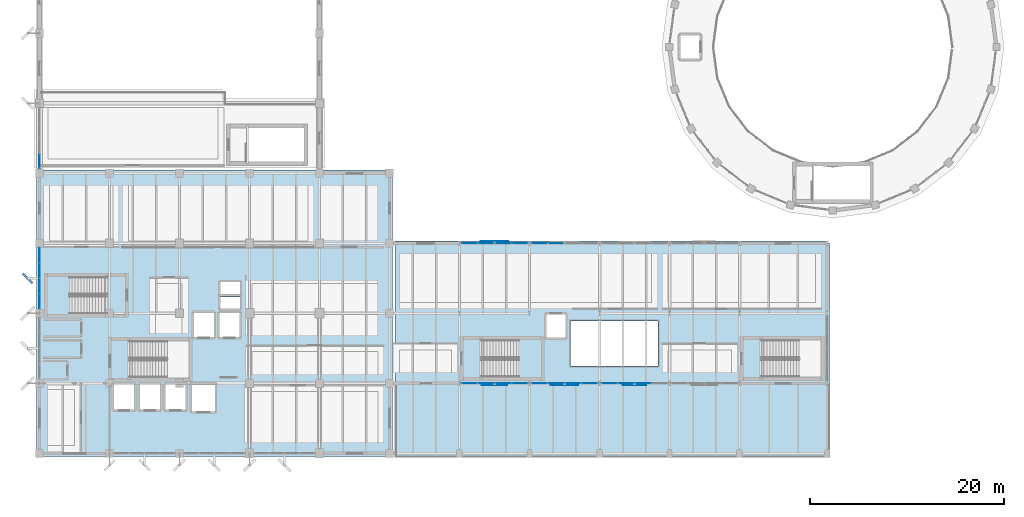
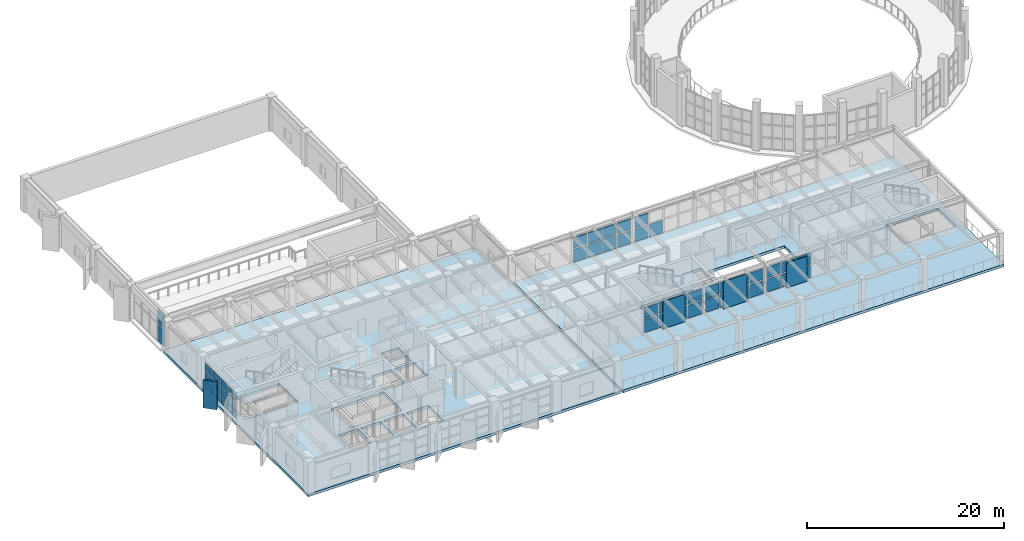
# One storey, part 35 of 59: 52 plates, 4 slabs, 9 elements without a shape of their own.
"""IFC4 building model written with IfcOpenShell, lengths in metres."""

from ifc_helpers import new_model, si_unit, direction, frame, origin, origin_2d, place, context, subcontext, project, spatial, polyline, rectangle, outline, extrude, material, layer, layer_set, type_object, element, aggregate, save


model = new_model("IFC4")

# Units and contexts
model_context = context("Model", 3, precision=1e-05, world=origin(), true_north=direction((0.0, 1.0)))
body_context = subcontext(model_context, "Body", "Model", "MODEL_VIEW")
ifc_project = project(units=[si_unit("LENGTHUNIT", "METRE"), si_unit("AREAUNIT", "SQUARE_METRE"), si_unit("VOLUMEUNIT", "CUBIC_METRE"), si_unit("PLANEANGLEUNIT", "RADIAN"), si_unit("MASSUNIT", "GRAM", prefix="KILO")], contexts=[model_context])

# Site, building, storey
site_placement = place(None, origin())
site = spatial("IfcSite", under=ifc_project, at=site_placement, CompositionType="ELEMENT")
building_placement = place(site_placement, origin())
building = spatial("IfcBuilding", under=site, at=building_placement, Name="Kandorven Conservatory and Botanical Research Centre", CompositionType="ELEMENT")
storey_placement = place(building_placement, frame((0.0, 0.0, 4.800048828125)))
storey = spatial("IfcBuildingStorey", under=building, at=storey_placement, Name="L01", CompositionType="ELEMENT", Elevation=4.800048828125)

# Curtain wall, plates
ifc_material_1 = material(Name="Bronze anodised thermally broken aluminium", Category="aluminium")
ifc_layer_1 = layer(ifc_material_1, 0.179931640625)
ifc_layer_set_1 = layer_set([ifc_layer_1], Name="Bronze anodised thermally broken aluminium")
curtain_wall_type = type_object("IfcCurtainWallType", Name="CW_Unitised", PredefinedType="USERDEFINED", material=ifc_layer_set_1)
curtain_wall_1_placement = place(storey_placement, origin())
curtain_wall_1 = element("IfcCurtainWall", 1, at=curtain_wall_1_placement, inside=storey, type_object=curtain_wall_type, Name="Auditorium foyer curtain wall CW-AUD-L01-1", ObjectType="UNITISED GLAZING", PredefinedType="USERDEFINED")
ifc_material_2 = material(Name="Double-glazed solar-control low-E glass", Category="glass")
ifc_layer_2 = layer(ifc_material_2, 0.028076171875)
ifc_layer_set_2 = layer_set([ifc_layer_2], Name="Double-glazed solar-control low-E glass")
plate_type_1 = type_object("IfcPlateType", Name="CW_Panel", PredefinedType="CURTAIN_PANEL", material=ifc_layer_set_2)
plate_1_placement = place(storey_placement, frame((6.0, 36.038818359375, 0.14990234375), z_axis=(0.0, 0.0, 1.0), x_axis=(0.0, 1.0, 0.0)))
plate_1 = element("IfcPlate", 2, at=plate_1_placement, type_object=plate_type_1, Name="CW-01 panel 1.1", PredefinedType="CURTAIN_PANEL", context=body_context, shape_type="SweptSolid", body=[
    extrude(rectangle(XDim=1.467529296875, YDim=0.028076171875, at=origin_2d()), origin(), (0.0, 0.0, 1.0), 1.97509765625),
])
plate_2_placement = place(storey_placement, frame((6.0, 36.038818359375, 2.27490234375), z_axis=(0.0, 0.0, 1.0), x_axis=(0.0, 1.0, 0.0)))
plate_2 = element("IfcPlate", 3, at=plate_2_placement, type_object=plate_type_1, Name="CW-01 panel 1.2", PredefinedType="CURTAIN_PANEL", context=body_context, shape_type="SweptSolid", body=[
    extrude(rectangle(XDim=1.467529296875, YDim=0.028076171875, at=origin_2d()), origin(), (0.0, 0.0, 1.0), 1.77490234375),
])
aggregate(curtain_wall_1, [plate_1, plate_2])

curtain_wall_2_placement = place(storey_placement, origin())
curtain_wall_2 = element("IfcCurtainWall", 4, at=curtain_wall_2_placement, inside=storey, type_object=curtain_wall_type, Name="Visitor wing unitised curtain wall CW-VIS-S-L01-2", ObjectType="UNITISED GLAZING", PredefinedType="USERDEFINED")
plate_3_placement = place(storey_placement, frame((50.2138671875, 13.199951171875, 0.14990234375), z_axis=(0.0, 0.0, 1.0), x_axis=(1.0, 0.0, 0.0)))
plate_3 = element("IfcPlate", 5, at=plate_3_placement, type_object=plate_type_1, Name="CW-01 panel 1.1", PredefinedType="CURTAIN_PANEL", context=body_context, shape_type="SweptSolid", body=[
    extrude(rectangle(XDim=1.617431640625, YDim=0.028076171875, at=origin_2d()), origin(), (0.0, 0.0, 1.0), 1.625),
])
plate_4_placement = place(storey_placement, frame((50.2138671875, 13.199951171875, 1.925048828125), z_axis=(0.0, 0.0, 1.0), x_axis=(1.0, 0.0, 0.0)))
plate_4 = element("IfcPlate", 6, at=plate_4_placement, type_object=plate_type_1, Name="CW-01 panel 1.2", PredefinedType="CURTAIN_PANEL", context=body_context, shape_type="SweptSolid", body=[
    extrude(rectangle(XDim=1.617431640625, YDim=0.028076171875, at=origin_2d()), origin(), (0.0, 0.0, 1.0), 1.3349609375),
])
plate_5_placement = place(storey_placement, frame((51.93115234375, 13.199951171875, 0.14990234375), z_axis=(0.0, 0.0, 1.0), x_axis=(1.0, 0.0, 0.0)))
plate_5 = element("IfcPlate", 7, at=plate_5_placement, type_object=plate_type_1, Name="CW-01 panel 2.1", PredefinedType="CURTAIN_PANEL", context=body_context, shape_type="SweptSolid", body=[
    extrude(rectangle(XDim=1.657470703125, YDim=0.028076171875, at=origin_2d()), origin(), (0.0, 0.0, 1.0), 1.625),
])
plate_6_placement = place(storey_placement, frame((51.93115234375, 13.199951171875, 1.925048828125), z_axis=(0.0, 0.0, 1.0), x_axis=(1.0, 0.0, 0.0)))
plate_6 = element("IfcPlate", 8, at=plate_6_placement, type_object=plate_type_1, Name="CW-01 panel 2.2", PredefinedType="CURTAIN_PANEL", context=body_context, shape_type="SweptSolid", body=[
    extrude(rectangle(XDim=1.657470703125, YDim=0.028076171875, at=origin_2d()), origin(), (0.0, 0.0, 1.0), 1.3349609375),
])
plate_7_placement = place(storey_placement, frame((53.668701171875, 13.199951171875, 0.14990234375), z_axis=(0.0, 0.0, 1.0), x_axis=(1.0, 0.0, 0.0)))
plate_7 = element("IfcPlate", 9, at=plate_7_placement, type_object=plate_type_1, Name="CW-01 panel 3.1", PredefinedType="CURTAIN_PANEL", context=body_context, shape_type="SweptSolid", body=[
    extrude(rectangle(XDim=1.657470703125, YDim=0.028076171875, at=origin_2d()), origin(), (0.0, 0.0, 1.0), 1.625),
])
plate_8_placement = place(storey_placement, frame((53.668701171875, 13.199951171875, 1.925048828125), z_axis=(0.0, 0.0, 1.0), x_axis=(1.0, 0.0, 0.0)))
plate_8 = element("IfcPlate", 10, at=plate_8_placement, type_object=plate_type_1, Name="CW-01 panel 3.2", PredefinedType="CURTAIN_PANEL", context=body_context, shape_type="SweptSolid", body=[
    extrude(rectangle(XDim=1.657470703125, YDim=0.028076171875, at=origin_2d()), origin(), (0.0, 0.0, 1.0), 1.3349609375),
])
plate_9_placement = place(storey_placement, frame((55.38623046875, 13.199951171875, 0.14990234375), z_axis=(0.0, 0.0, 1.0), x_axis=(1.0, 0.0, 0.0)))
plate_9 = element("IfcPlate", 11, at=plate_9_placement, type_object=plate_type_1, Name="CW-01 panel 4.1", PredefinedType="CURTAIN_PANEL", context=body_context, shape_type="SweptSolid", body=[
    extrude(rectangle(XDim=1.617431640625, YDim=0.028076171875, at=origin_2d()), origin(), (0.0, 0.0, 1.0), 1.625),
])
plate_10_placement = place(storey_placement, frame((55.38623046875, 13.199951171875, 1.925048828125), z_axis=(0.0, 0.0, 1.0), x_axis=(1.0, 0.0, 0.0)))
plate_10 = element("IfcPlate", 12, at=plate_10_placement, type_object=plate_type_1, Name="CW-01 panel 4.2", PredefinedType="CURTAIN_PANEL", context=body_context, shape_type="SweptSolid", body=[
    extrude(rectangle(XDim=1.617431640625, YDim=0.028076171875, at=origin_2d()), origin(), (0.0, 0.0, 1.0), 1.3349609375),
])
aggregate(curtain_wall_2, [plate_3, plate_4, plate_5, plate_6, plate_7, plate_8, plate_9, plate_10])

curtain_wall_3_placement = place(storey_placement, origin())
curtain_wall_3 = element("IfcCurtainWall", 13, at=curtain_wall_3_placement, inside=storey, type_object=curtain_wall_type, Name="Visitor wing unitised curtain wall CW-VIS-S-L01-3", ObjectType="UNITISED GLAZING", PredefinedType="USERDEFINED")
plate_11_placement = place(storey_placement, frame((57.413818359375, 13.199951171875, 0.14990234375), z_axis=(0.0, 0.0, 1.0), x_axis=(1.0, 0.0, 0.0)))
plate_11 = element("IfcPlate", 14, at=plate_11_placement, type_object=plate_type_1, Name="CW-01 panel 1.1", PredefinedType="CURTAIN_PANEL", context=body_context, shape_type="SweptSolid", body=[
    extrude(rectangle(XDim=1.617431640625, YDim=0.028076171875, at=origin_2d()), origin(), (0.0, 0.0, 1.0), 1.625),
])
plate_12_placement = place(storey_placement, frame((57.413818359375, 13.199951171875, 1.925048828125), z_axis=(0.0, 0.0, 1.0), x_axis=(1.0, 0.0, 0.0)))
plate_12 = element("IfcPlate", 15, at=plate_12_placement, type_object=plate_type_1, Name="CW-01 panel 1.2", PredefinedType="CURTAIN_PANEL", context=body_context, shape_type="SweptSolid", body=[
    extrude(rectangle(XDim=1.617431640625, YDim=0.028076171875, at=origin_2d()), origin(), (0.0, 0.0, 1.0), 1.3349609375),
])
plate_13_placement = place(storey_placement, frame((59.13134765625, 13.199951171875, 0.14990234375), z_axis=(0.0, 0.0, 1.0), x_axis=(1.0, 0.0, 0.0)))
plate_13 = element("IfcPlate", 16, at=plate_13_placement, type_object=plate_type_1, Name="CW-01 panel 2.1", PredefinedType="CURTAIN_PANEL", context=body_context, shape_type="SweptSolid", body=[
    extrude(rectangle(XDim=1.657470703125, YDim=0.028076171875, at=origin_2d()), origin(), (0.0, 0.0, 1.0), 1.625),
])
plate_14_placement = place(storey_placement, frame((59.13134765625, 13.199951171875, 1.925048828125), z_axis=(0.0, 0.0, 1.0), x_axis=(1.0, 0.0, 0.0)))
plate_14 = element("IfcPlate", 17, at=plate_14_placement, type_object=plate_type_1, Name="CW-01 panel 2.2", PredefinedType="CURTAIN_PANEL", context=body_context, shape_type="SweptSolid", body=[
    extrude(rectangle(XDim=1.657470703125, YDim=0.028076171875, at=origin_2d()), origin(), (0.0, 0.0, 1.0), 1.3349609375),
])
plate_15_placement = place(storey_placement, frame((60.86865234375, 13.199951171875, 0.14990234375), z_axis=(0.0, 0.0, 1.0), x_axis=(1.0, 0.0, 0.0)))
plate_15 = element("IfcPlate", 18, at=plate_15_placement, type_object=plate_type_1, Name="CW-01 panel 3.1", PredefinedType="CURTAIN_PANEL", context=body_context, shape_type="SweptSolid", body=[
    extrude(rectangle(XDim=1.657470703125, YDim=0.028076171875, at=origin_2d()), origin(), (0.0, 0.0, 1.0), 1.625),
])
plate_16_placement = place(storey_placement, frame((60.86865234375, 13.199951171875, 1.925048828125), z_axis=(0.0, 0.0, 1.0), x_axis=(1.0, 0.0, 0.0)))
plate_16 = element("IfcPlate", 19, at=plate_16_placement, type_object=plate_type_1, Name="CW-01 panel 3.2", PredefinedType="CURTAIN_PANEL", context=body_context, shape_type="SweptSolid", body=[
    extrude(rectangle(XDim=1.657470703125, YDim=0.028076171875, at=origin_2d()), origin(), (0.0, 0.0, 1.0), 1.3349609375),
])
plate_17_placement = place(storey_placement, frame((62.586181640625, 13.199951171875, 0.14990234375), z_axis=(0.0, 0.0, 1.0), x_axis=(1.0, 0.0, 0.0)))
plate_17 = element("IfcPlate", 20, at=plate_17_placement, type_object=plate_type_1, Name="CW-01 panel 4.1", PredefinedType="CURTAIN_PANEL", context=body_context, shape_type="SweptSolid", body=[
    extrude(rectangle(XDim=1.617431640625, YDim=0.028076171875, at=origin_2d()), origin(), (0.0, 0.0, 1.0), 1.625),
])
plate_18_placement = place(storey_placement, frame((62.586181640625, 13.199951171875, 1.925048828125), z_axis=(0.0, 0.0, 1.0), x_axis=(1.0, 0.0, 0.0)))
plate_18 = element("IfcPlate", 21, at=plate_18_placement, type_object=plate_type_1, Name="CW-01 panel 4.2", PredefinedType="CURTAIN_PANEL", context=body_context, shape_type="SweptSolid", body=[
    extrude(rectangle(XDim=1.617431640625, YDim=0.028076171875, at=origin_2d()), origin(), (0.0, 0.0, 1.0), 1.3349609375),
])
aggregate(curtain_wall_3, [plate_11, plate_12, plate_13, plate_14, plate_15, plate_16, plate_17, plate_18])

curtain_wall_4_placement = place(storey_placement, origin())
curtain_wall_4 = element("IfcCurtainWall", 22, at=curtain_wall_4_placement, inside=storey, type_object=curtain_wall_type, Name="Visitor wing unitised curtain wall CW-VIS-S-L01-4", ObjectType="UNITISED GLAZING", PredefinedType="USERDEFINED")
plate_19_placement = place(storey_placement, frame((64.61376953125, 13.199951171875, 0.14990234375), z_axis=(0.0, 0.0, 1.0), x_axis=(1.0, 0.0, 0.0)))
plate_19 = element("IfcPlate", 23, at=plate_19_placement, type_object=plate_type_1, Name="CW-01 panel 1.1", PredefinedType="CURTAIN_PANEL", context=body_context, shape_type="SweptSolid", body=[
    extrude(rectangle(XDim=1.617431640625, YDim=0.028076171875, at=origin_2d()), origin(), (0.0, 0.0, 1.0), 1.625),
])
plate_20_placement = place(storey_placement, frame((64.61376953125, 13.199951171875, 1.925048828125), z_axis=(0.0, 0.0, 1.0), x_axis=(1.0, 0.0, 0.0)))
plate_20 = element("IfcPlate", 24, at=plate_20_placement, type_object=plate_type_1, Name="CW-01 panel 1.2", PredefinedType="CURTAIN_PANEL", context=body_context, shape_type="SweptSolid", body=[
    extrude(rectangle(XDim=1.617431640625, YDim=0.028076171875, at=origin_2d()), origin(), (0.0, 0.0, 1.0), 1.3349609375),
])
plate_21_placement = place(storey_placement, frame((66.331298828125, 13.199951171875, 0.14990234375), z_axis=(0.0, 0.0, 1.0), x_axis=(1.0, 0.0, 0.0)))
plate_21 = element("IfcPlate", 25, at=plate_21_placement, type_object=plate_type_1, Name="CW-01 panel 2.1", PredefinedType="CURTAIN_PANEL", context=body_context, shape_type="SweptSolid", body=[
    extrude(rectangle(XDim=1.657470703125, YDim=0.028076171875, at=origin_2d()), origin(), (0.0, 0.0, 1.0), 1.625),
])
plate_22_placement = place(storey_placement, frame((66.331298828125, 13.199951171875, 1.925048828125), z_axis=(0.0, 0.0, 1.0), x_axis=(1.0, 0.0, 0.0)))
plate_22 = element("IfcPlate", 26, at=plate_22_placement, type_object=plate_type_1, Name="CW-01 panel 2.2", PredefinedType="CURTAIN_PANEL", context=body_context, shape_type="SweptSolid", body=[
    extrude(rectangle(XDim=1.657470703125, YDim=0.028076171875, at=origin_2d()), origin(), (0.0, 0.0, 1.0), 1.3349609375),
])
plate_23_placement = place(storey_placement, frame((68.06884765625, 13.199951171875, 0.14990234375), z_axis=(0.0, 0.0, 1.0), x_axis=(1.0, 0.0, 0.0)))
plate_23 = element("IfcPlate", 27, at=plate_23_placement, type_object=plate_type_1, Name="CW-01 panel 3.1", PredefinedType="CURTAIN_PANEL", context=body_context, shape_type="SweptSolid", body=[
    extrude(rectangle(XDim=1.657470703125, YDim=0.028076171875, at=origin_2d()), origin(), (0.0, 0.0, 1.0), 1.625),
])
plate_24_placement = place(storey_placement, frame((68.06884765625, 13.199951171875, 1.925048828125), z_axis=(0.0, 0.0, 1.0), x_axis=(1.0, 0.0, 0.0)))
plate_24 = element("IfcPlate", 28, at=plate_24_placement, type_object=plate_type_1, Name="CW-01 panel 3.2", PredefinedType="CURTAIN_PANEL", context=body_context, shape_type="SweptSolid", body=[
    extrude(rectangle(XDim=1.657470703125, YDim=0.028076171875, at=origin_2d()), origin(), (0.0, 0.0, 1.0), 1.3349609375),
])
aggregate(curtain_wall_4, [plate_19, plate_20, plate_21, plate_22, plate_23, plate_24])

curtain_wall_5_placement = place(storey_placement, origin())
curtain_wall_5 = element("IfcCurtainWall", 29, at=curtain_wall_5_placement, inside=storey, type_object=curtain_wall_type, Name="Visitor wing unitised curtain wall CW-VIS-N-L01-2", ObjectType="UNITISED GLAZING", PredefinedType="USERDEFINED")
plate_25_placement = place(storey_placement, frame((50.2138671875, 27.60009765625, 0.14990234375), z_axis=(0.0, 0.0, 1.0), x_axis=(1.0, 0.0, 0.0)))
plate_25 = element("IfcPlate", 30, at=plate_25_placement, type_object=plate_type_1, Name="CW-01 panel 1.1", PredefinedType="CURTAIN_PANEL", context=body_context, shape_type="SweptSolid", body=[
    extrude(rectangle(XDim=1.617431640625, YDim=0.028076171875, at=origin_2d()), origin(), (0.0, 0.0, 1.0), 1.625),
])
plate_26_placement = place(storey_placement, frame((50.2138671875, 27.60009765625, 1.925048828125), z_axis=(0.0, 0.0, 1.0), x_axis=(1.0, 0.0, 0.0)))
plate_26 = element("IfcPlate", 31, at=plate_26_placement, type_object=plate_type_1, Name="CW-01 panel 1.2", PredefinedType="CURTAIN_PANEL", context=body_context, shape_type="SweptSolid", body=[
    extrude(rectangle(XDim=1.617431640625, YDim=0.028076171875, at=origin_2d()), origin(), (0.0, 0.0, 1.0), 1.3349609375),
])
plate_27_placement = place(storey_placement, frame((51.93115234375, 27.60009765625, 0.14990234375), z_axis=(0.0, 0.0, 1.0), x_axis=(1.0, 0.0, 0.0)))
plate_27 = element("IfcPlate", 32, at=plate_27_placement, type_object=plate_type_1, Name="CW-01 panel 2.1", PredefinedType="CURTAIN_PANEL", context=body_context, shape_type="SweptSolid", body=[
    extrude(rectangle(XDim=1.657470703125, YDim=0.028076171875, at=origin_2d()), origin(), (0.0, 0.0, 1.0), 1.625),
])
plate_28_placement = place(storey_placement, frame((51.93115234375, 27.60009765625, 1.925048828125), z_axis=(0.0, 0.0, 1.0), x_axis=(1.0, 0.0, 0.0)))
plate_28 = element("IfcPlate", 33, at=plate_28_placement, type_object=plate_type_1, Name="CW-01 panel 2.2", PredefinedType="CURTAIN_PANEL", context=body_context, shape_type="SweptSolid", body=[
    extrude(rectangle(XDim=1.657470703125, YDim=0.028076171875, at=origin_2d()), origin(), (0.0, 0.0, 1.0), 1.3349609375),
])
plate_29_placement = place(storey_placement, frame((53.668701171875, 27.60009765625, 0.14990234375), z_axis=(0.0, 0.0, 1.0), x_axis=(1.0, 0.0, 0.0)))
plate_29 = element("IfcPlate", 34, at=plate_29_placement, type_object=plate_type_1, Name="CW-01 panel 3.1", PredefinedType="CURTAIN_PANEL", context=body_context, shape_type="SweptSolid", body=[
    extrude(rectangle(XDim=1.657470703125, YDim=0.028076171875, at=origin_2d()), origin(), (0.0, 0.0, 1.0), 1.625),
])
plate_30_placement = place(storey_placement, frame((53.668701171875, 27.60009765625, 1.925048828125), z_axis=(0.0, 0.0, 1.0), x_axis=(1.0, 0.0, 0.0)))
plate_30 = element("IfcPlate", 35, at=plate_30_placement, type_object=plate_type_1, Name="CW-01 panel 3.2", PredefinedType="CURTAIN_PANEL", context=body_context, shape_type="SweptSolid", body=[
    extrude(rectangle(XDim=1.657470703125, YDim=0.028076171875, at=origin_2d()), origin(), (0.0, 0.0, 1.0), 1.3349609375),
])
plate_31_placement = place(storey_placement, frame((55.38623046875, 27.60009765625, 0.14990234375), z_axis=(0.0, 0.0, 1.0), x_axis=(1.0, 0.0, 0.0)))
plate_31 = element("IfcPlate", 36, at=plate_31_placement, type_object=plate_type_1, Name="CW-01 panel 4.1", PredefinedType="CURTAIN_PANEL", context=body_context, shape_type="SweptSolid", body=[
    extrude(rectangle(XDim=1.617431640625, YDim=0.028076171875, at=origin_2d()), origin(), (0.0, 0.0, 1.0), 1.625),
])
plate_32_placement = place(storey_placement, frame((55.38623046875, 27.60009765625, 1.925048828125), z_axis=(0.0, 0.0, 1.0), x_axis=(1.0, 0.0, 0.0)))
plate_32 = element("IfcPlate", 37, at=plate_32_placement, type_object=plate_type_1, Name="CW-01 panel 4.2", PredefinedType="CURTAIN_PANEL", context=body_context, shape_type="SweptSolid", body=[
    extrude(rectangle(XDim=1.617431640625, YDim=0.028076171875, at=origin_2d()), origin(), (0.0, 0.0, 1.0), 1.3349609375),
])
aggregate(curtain_wall_5, [plate_25, plate_26, plate_27, plate_28, plate_29, plate_30, plate_31, plate_32])

curtain_wall_6_placement = place(storey_placement, origin())
curtain_wall_6 = element("IfcCurtainWall", 38, at=curtain_wall_6_placement, inside=storey, type_object=curtain_wall_type, Name="Visitor wing unitised curtain wall CW-VIS-N-L01-3", ObjectType="UNITISED GLAZING", PredefinedType="USERDEFINED")
plate_33_placement = place(storey_placement, frame((57.413818359375, 27.60009765625, 0.14990234375), z_axis=(0.0, 0.0, 1.0), x_axis=(1.0, 0.0, 0.0)))
plate_33 = element("IfcPlate", 39, at=plate_33_placement, type_object=plate_type_1, Name="CW-01 panel 1.1", PredefinedType="CURTAIN_PANEL", context=body_context, shape_type="SweptSolid", body=[
    extrude(rectangle(XDim=1.617431640625, YDim=0.028076171875, at=origin_2d()), origin(), (0.0, 0.0, 1.0), 1.625),
])
plate_34_placement = place(storey_placement, frame((57.413818359375, 27.60009765625, 1.925048828125), z_axis=(0.0, 0.0, 1.0), x_axis=(1.0, 0.0, 0.0)))
plate_34 = element("IfcPlate", 40, at=plate_34_placement, type_object=plate_type_1, Name="CW-01 panel 1.2", PredefinedType="CURTAIN_PANEL", context=body_context, shape_type="SweptSolid", body=[
    extrude(rectangle(XDim=1.617431640625, YDim=0.028076171875, at=origin_2d()), origin(), (0.0, 0.0, 1.0), 1.3349609375),
])
plate_35_placement = place(storey_placement, frame((59.13134765625, 27.60009765625, 0.14990234375), z_axis=(0.0, 0.0, 1.0), x_axis=(1.0, 0.0, 0.0)))
plate_35 = element("IfcPlate", 41, at=plate_35_placement, type_object=plate_type_1, Name="CW-01 panel 2.1", PredefinedType="CURTAIN_PANEL", context=body_context, shape_type="SweptSolid", body=[
    extrude(rectangle(XDim=1.657470703125, YDim=0.028076171875, at=origin_2d()), origin(), (0.0, 0.0, 1.0), 1.625),
])
aggregate(curtain_wall_6, [plate_33, plate_34, plate_35])

curtain_wall_7_placement = place(storey_placement, origin())
curtain_wall_7 = element("IfcCurtainWall", 42, at=curtain_wall_7_placement, inside=storey, type_object=curtain_wall_type, Name="Tower laboratory curtain wall CW-TWR-W-L01-3", ObjectType="UNITISED GLAZING", PredefinedType="USERDEFINED")
plate_36_placement = place(storey_placement, frame((6.0, 21.638671875, 0.14990234375), z_axis=(0.0, 0.0, 1.0), x_axis=(0.0, 1.0, 0.0)))
plate_36 = element("IfcPlate", 43, at=plate_36_placement, type_object=plate_type_1, Name="CW-01 panel 1.1", PredefinedType="CURTAIN_PANEL", context=body_context, shape_type="SweptSolid", body=[
    extrude(rectangle(XDim=1.467529296875, YDim=0.028076171875, at=origin_2d()), origin(), (0.0, 0.0, 1.0), 0.824951171875),
])
plate_37_placement = place(storey_placement, frame((6.0, 21.638671875, 1.125), z_axis=(0.0, 0.0, 1.0), x_axis=(0.0, 1.0, 0.0)))
plate_37 = element("IfcPlate", 44, at=plate_37_placement, type_object=plate_type_1, Name="CW-01 panel 1.2", PredefinedType="CURTAIN_PANEL", context=body_context, shape_type="SweptSolid", body=[
    extrude(rectangle(XDim=1.467529296875, YDim=0.028076171875, at=origin_2d()), origin(), (0.0, 0.0, 1.0), 1.050048828125),
])
plate_38_placement = place(storey_placement, frame((6.0, 21.638671875, 2.324951171875), z_axis=(0.0, 0.0, 1.0), x_axis=(0.0, 1.0, 0.0)))
plate_38 = element("IfcPlate", 45, at=plate_38_placement, type_object=plate_type_1, Name="CW-01 panel 1.3", PredefinedType="CURTAIN_PANEL", context=body_context, shape_type="SweptSolid", body=[
    extrude(rectangle(XDim=1.467529296875, YDim=0.028076171875, at=origin_2d()), origin(), (0.0, 0.0, 1.0), 0.85498046875),
])
plate_39_placement = place(storey_placement, frame((6.0, 23.206298828125, 0.14990234375), z_axis=(0.0, 0.0, 1.0), x_axis=(0.0, 1.0, 0.0)))
plate_39 = element("IfcPlate", 46, at=plate_39_placement, type_object=plate_type_1, Name="CW-01 panel 2.1", PredefinedType="CURTAIN_PANEL", context=body_context, shape_type="SweptSolid", body=[
    extrude(rectangle(XDim=1.507568359375, YDim=0.028076171875, at=origin_2d()), origin(), (0.0, 0.0, 1.0), 0.824951171875),
])
plate_40_placement = place(storey_placement, frame((6.0, 23.206298828125, 1.125), z_axis=(0.0, 0.0, 1.0), x_axis=(0.0, 1.0, 0.0)))
plate_40 = element("IfcPlate", 47, at=plate_40_placement, type_object=plate_type_1, Name="CW-01 panel 2.2", PredefinedType="CURTAIN_PANEL", context=body_context, shape_type="SweptSolid", body=[
    extrude(rectangle(XDim=1.507568359375, YDim=0.028076171875, at=origin_2d()), origin(), (0.0, 0.0, 1.0), 1.050048828125),
])
plate_41_placement = place(storey_placement, frame((6.0, 23.206298828125, 2.324951171875), z_axis=(0.0, 0.0, 1.0), x_axis=(0.0, 1.0, 0.0)))
plate_41 = element("IfcPlate", 48, at=plate_41_placement, type_object=plate_type_1, Name="CW-01 panel 2.3", PredefinedType="CURTAIN_PANEL", context=body_context, shape_type="SweptSolid", body=[
    extrude(rectangle(XDim=1.507568359375, YDim=0.028076171875, at=origin_2d()), origin(), (0.0, 0.0, 1.0), 0.85498046875),
])
plate_42_placement = place(storey_placement, frame((6.0, 24.793701171875, 0.14990234375), z_axis=(0.0, 0.0, 1.0), x_axis=(0.0, 1.0, 0.0)))
plate_42 = element("IfcPlate", 49, at=plate_42_placement, type_object=plate_type_1, Name="CW-01 panel 3.1", PredefinedType="CURTAIN_PANEL", context=body_context, shape_type="SweptSolid", body=[
    extrude(rectangle(XDim=1.507568359375, YDim=0.028076171875, at=origin_2d()), origin(), (0.0, 0.0, 1.0), 0.824951171875),
])
plate_43_placement = place(storey_placement, frame((6.0, 24.793701171875, 1.125), z_axis=(0.0, 0.0, 1.0), x_axis=(0.0, 1.0, 0.0)))
plate_43 = element("IfcPlate", 50, at=plate_43_placement, type_object=plate_type_1, Name="CW-01 panel 3.2", PredefinedType="CURTAIN_PANEL", context=body_context, shape_type="SweptSolid", body=[
    extrude(rectangle(XDim=1.507568359375, YDim=0.028076171875, at=origin_2d()), origin(), (0.0, 0.0, 1.0), 1.050048828125),
])
plate_44_placement = place(storey_placement, frame((6.0, 24.793701171875, 2.324951171875), z_axis=(0.0, 0.0, 1.0), x_axis=(0.0, 1.0, 0.0)))
plate_44 = element("IfcPlate", 51, at=plate_44_placement, type_object=plate_type_1, Name="CW-01 panel 3.3", PredefinedType="CURTAIN_PANEL", context=body_context, shape_type="SweptSolid", body=[
    extrude(rectangle(XDim=1.507568359375, YDim=0.028076171875, at=origin_2d()), origin(), (0.0, 0.0, 1.0), 0.85498046875),
])
plate_45_placement = place(storey_placement, frame((6.0, 26.361328125, 0.14990234375), z_axis=(0.0, 0.0, 1.0), x_axis=(0.0, 1.0, 0.0)))
plate_45 = element("IfcPlate", 52, at=plate_45_placement, type_object=plate_type_1, Name="CW-01 panel 4.1", PredefinedType="CURTAIN_PANEL", context=body_context, shape_type="SweptSolid", body=[
    extrude(rectangle(XDim=1.467529296875, YDim=0.028076171875, at=origin_2d()), origin(), (0.0, 0.0, 1.0), 0.824951171875),
])
plate_46_placement = place(storey_placement, frame((6.0, 26.361328125, 1.125), z_axis=(0.0, 0.0, 1.0), x_axis=(0.0, 1.0, 0.0)))
plate_46 = element("IfcPlate", 53, at=plate_46_placement, type_object=plate_type_1, Name="CW-01 panel 4.2", PredefinedType="CURTAIN_PANEL", context=body_context, shape_type="SweptSolid", body=[
    extrude(rectangle(XDim=1.467529296875, YDim=0.028076171875, at=origin_2d()), origin(), (0.0, 0.0, 1.0), 1.050048828125),
])
plate_47_placement = place(storey_placement, frame((6.0, 26.361328125, 2.324951171875), z_axis=(0.0, 0.0, 1.0), x_axis=(0.0, 1.0, 0.0)))
plate_47 = element("IfcPlate", 54, at=plate_47_placement, type_object=plate_type_1, Name="CW-01 panel 4.3", PredefinedType="CURTAIN_PANEL", context=body_context, shape_type="SweptSolid", body=[
    extrude(rectangle(XDim=1.467529296875, YDim=0.028076171875, at=origin_2d()), origin(), (0.0, 0.0, 1.0), 0.85498046875),
])
aggregate(curtain_wall_7, [plate_36, plate_37, plate_38, plate_39, plate_40, plate_41, plate_42, plate_43, plate_44, plate_45, plate_46, plate_47])

# Plates
ifc_material_3 = material(Name="Precast concrete C40/50 (M50)", Category="concrete")
ifc_layer_3 = layer(ifc_material_3, 0.241943359375)
ifc_layer_set_3 = layer_set([ifc_layer_3], Name="Precast concrete C40/50 (M50)")
plate_type_2 = type_object("IfcPlateType", Name="Fin_BF-11", PredefinedType="USERDEFINED", material=ifc_layer_set_3)
plate_48_placement = place(storey_placement, frame((4.780029296875, 24.0, -0.1201171875), z_axis=(0.0, 0.0, 1.0), x_axis=(-0.707106781187, 0.707106781187, 0.0)))
element("IfcPlate", 55, at=plate_48_placement, inside=storey, type_object=plate_type_2, Name="Sculpted board-marked concrete brise-soleil fin BF-11", ObjectType="SOLAR FIN", PredefinedType="USERDEFINED", context=body_context, shape_type="SweptSolid", body=[
    extrude(rectangle(XDim=1.429931640625, YDim=0.241943359375, at=origin_2d()), origin(), (0.0, 0.0, 1.0), 3.449951171875),
])
ifc_material_4 = material(Name="Precast concrete C40/50 (M50)", Category="concrete")
ifc_layer_4 = layer(ifc_material_4, 0.094970703125)
ifc_layer_set_4 = layer_set([ifc_layer_4], Name="Precast concrete C40/50 (M50)")
plate_type_3 = type_object("IfcPlateType", Name="Jali_JP-02", PredefinedType="USERDEFINED", material=ifc_layer_set_4)
plate_49_placement = place(storey_placement, frame((52.800048828125, 13.06005859375, 0.0), z_axis=(0.0, 0.0, 1.0), x_axis=(1.0, 0.0, 0.0)))
element("IfcPlate", 56, at=plate_49_placement, inside=storey, type_object=plate_type_3, Name="Perforated precast concrete jali screen JP-02", ObjectType="JALI SCREEN", PredefinedType="USERDEFINED", context=body_context, shape_type="SweptSolid", body=[
    extrude(rectangle(XDim=2.60009765625, YDim=0.094970703125, at=origin_2d()), origin(), (0.0, 0.0, 1.0), 3.39990234375),
])
ifc_material_5 = material(Name="Precast concrete C40/50 (M50)", Category="concrete")
ifc_layer_5 = layer(ifc_material_5, 0.10009765625)
ifc_layer_set_5 = layer_set([ifc_layer_5], Name="Precast concrete C40/50 (M50)")
plate_type_4 = type_object("IfcPlateType", Name="Jali_JP-03", PredefinedType="USERDEFINED", material=ifc_layer_set_5)
plate_50_placement = place(storey_placement, frame((60.0, 13.06005859375, 0.0), z_axis=(0.0, 0.0, 1.0), x_axis=(1.0, 0.0, 0.0)))
element("IfcPlate", 57, at=plate_50_placement, inside=storey, type_object=plate_type_4, Name="Perforated precast concrete jali screen JP-03", ObjectType="JALI SCREEN", PredefinedType="USERDEFINED", context=body_context, shape_type="SweptSolid", body=[
    extrude(rectangle(XDim=2.800048828125, YDim=0.10009765625, at=origin_2d()), origin(), (0.0, 0.0, 1.0), 3.39990234375),
])
ifc_material_6 = material(Name="Precast concrete C40/50 (M50)", Category="concrete")
ifc_layer_6 = layer(ifc_material_6, 0.090087890625)
ifc_layer_set_6 = layer_set([ifc_layer_6], Name="Precast concrete C40/50 (M50)")
plate_type_5 = type_object("IfcPlateType", Name="Jali_JP-04", PredefinedType="USERDEFINED", material=ifc_layer_set_6)
plate_51_placement = place(storey_placement, frame((67.199951171875, 13.06005859375, 0.0), z_axis=(0.0, 0.0, 1.0), x_axis=(1.0, 0.0, 0.0)))
element("IfcPlate", 58, at=plate_51_placement, inside=storey, type_object=plate_type_5, Name="Perforated precast concrete jali screen JP-04", ObjectType="JALI SCREEN", PredefinedType="USERDEFINED", context=body_context, shape_type="SweptSolid", body=[
    extrude(rectangle(XDim=2.39990234375, YDim=0.090087890625, at=origin_2d()), origin(), (0.0, 0.0, 1.0), 3.10009765625),
])
ifc_material_7 = material(Name="Precast concrete C40/50 (M50)", Category="concrete")
ifc_layer_7 = layer(ifc_material_7, 0.10009765625)
ifc_layer_set_7 = layer_set([ifc_layer_7], Name="Precast concrete C40/50 (M50)")
plate_type_6 = type_object("IfcPlateType", Name="Jali_JP-06", PredefinedType="USERDEFINED", material=ifc_layer_set_7)
plate_52_placement = place(storey_placement, frame((52.800048828125, 27.739990234375, 0.0), z_axis=(0.0, 0.0, 1.0), x_axis=(1.0, 0.0, 0.0)))
element("IfcPlate", 59, at=plate_52_placement, inside=storey, type_object=plate_type_6, Name="Perforated precast concrete jali screen JP-06", ObjectType="JALI SCREEN", PredefinedType="USERDEFINED", context=body_context, shape_type="SweptSolid", body=[
    extrude(rectangle(XDim=2.800048828125, YDim=0.10009765625, at=origin_2d()), origin(), (0.0, 0.0, 1.0), 3.10009765625),
])

# Slabs
ifc_material_8 = material(Name="Concrete C32/40 (M40)", Category="concrete")
ifc_layer_8 = layer(ifc_material_8, 0.320068359375)
ifc_layer_set_8 = layer_set([ifc_layer_8], Name="Concrete C32/40 (M40)")
slab_type_1 = type_object("IfcSlabType", Name="Slab_SL-02", PredefinedType="FLOOR", material=ifc_layer_set_8)
slab_1_placement = place(storey_placement, frame((0.0, 0.0, -0.320068359375)))
element("IfcSlab", 60, at=slab_1_placement, inside=storey, type_object=slab_type_1, Name="Tower floor slab L01", PredefinedType="FLOOR", context=body_context, shape_type="SweptSolid", body=[
    extrude(outline(polyline([(5.679931640625, 5.679931640625), (42.320068359375, 5.679931640625), (42.320068359375, 34.919921875), (42.1201171875, 34.919921875), (42.1201171875, 35.1201171875), (5.679931640625, 35.1201171875), (5.679931640625, 5.679931640625)]), holes=[polyline([(15.239990234375, 13.780029296875), (21.3798828125, 13.780029296875), (21.3798828125, 17.570068359375), (15.239990234375, 17.570068359375), (15.239990234375, 13.780029296875)]), polyline([(12.9599609375, 24.14990234375), (6.820068359375, 24.14990234375), (6.820068359375, 20.360107421875), (12.9599609375, 20.360107421875), (12.9599609375, 24.14990234375)]), polyline([(21.75, 17.85009765625), (24.050048828125, 17.85009765625), (24.050048828125, 20.550048828125), (21.75, 20.550048828125), (21.75, 17.85009765625)]), polyline([(24.39990234375, 17.85009765625), (26.699951171875, 17.85009765625), (26.699951171875, 20.550048828125), (24.39990234375, 20.550048828125), (24.39990234375, 17.85009765625)]), polyline([(13.550048828125, 10.39990234375), (15.85009765625, 10.39990234375), (15.85009765625, 13.199951171875), (13.550048828125, 13.199951171875), (13.550048828125, 10.39990234375)]), polyline([(16.199951171875, 10.39990234375), (18.5, 10.39990234375), (18.5, 13.199951171875), (16.199951171875, 13.199951171875), (16.199951171875, 10.39990234375)]), polyline([(18.85009765625, 10.39990234375), (21.14990234375, 10.39990234375), (21.14990234375, 13.199951171875), (18.85009765625, 13.199951171875), (18.85009765625, 10.39990234375)]), polyline([(21.550048828125, 10.199951171875), (24.14990234375, 10.199951171875), (24.14990234375, 13.199951171875), (21.550048828125, 13.199951171875), (21.550048828125, 10.199951171875)]), polyline([(24.60009765625, 20.89990234375), (26.60009765625, 20.89990234375), (26.60009765625, 22.10009765625), (24.60009765625, 22.10009765625), (24.60009765625, 20.89990234375)]), polyline([(24.60009765625, 22.39990234375), (26.60009765625, 22.39990234375), (26.60009765625, 23.60009765625), (24.60009765625, 23.60009765625), (24.60009765625, 22.39990234375)])]), origin(), (0.0, 0.0, 1.0), 0.320068359375),
])
slab_2_placement = place(storey_placement, frame((0.0, 0.0, -0.320068359375)))
element("IfcSlab", 61, at=slab_2_placement, inside=storey, type_object=slab_type_1, Name="Visitor and education wing L01 floor slab", PredefinedType="FLOOR", context=body_context, shape_type="SweptSolid", body=[
    extrude(outline(polyline([(42.56005859375, 5.64990234375), (87.239990234375, 5.64990234375), (87.239990234375, 27.6201171875), (87.02001953125, 27.6201171875), (87.02001953125, 27.840087890625), (42.56005859375, 27.840087890625), (42.56005859375, 5.64990234375)]), holes=[polyline([(51.43994140625, 13.85009765625), (57.580078125, 13.85009765625), (57.580078125, 17.639892578125), (51.43994140625, 17.639892578125), (51.43994140625, 13.85009765625)]), polyline([(80.239990234375, 13.85009765625), (86.3798828125, 13.85009765625), (86.3798828125, 17.639892578125), (80.239990234375, 17.639892578125), (80.239990234375, 13.85009765625)]), polyline([(58.0, 17.800048828125), (60.199951171875, 17.800048828125), (60.199951171875, 20.39990234375), (58.0, 20.39990234375), (58.0, 17.800048828125)]), polyline([(60.60009765625, 15.0), (69.60009765625, 15.0), (69.60009765625, 19.60009765625), (60.60009765625, 19.60009765625), (60.60009765625, 15.0)])]), origin(), (0.0, 0.0, 1.0), 0.320068359375),
])

# Stair, slab
ifc_material_9 = material(Name="Concrete C32/40 (M40)", Category="concrete")
stair_type = type_object("IfcStairType", Name="Stair_1820", PredefinedType="HALF_TURN_STAIR", material=ifc_material_9)
stair_1_placement = place(storey_placement, origin())
stair_1 = element("IfcStair", 62, at=stair_1_placement, inside=storey, type_object=stair_type, Name="L01 Tower Fire Stair ST-T2", PredefinedType="HALF_TURN_STAIR")
ifc_material_10 = material(Name="Concrete C32/40 (M40)", Category="concrete")
ifc_layer_9 = layer(ifc_material_10, 0.199951171875)
ifc_layer_set_9 = layer_set([ifc_layer_9], Name="Concrete C32/40 (M40)")
slab_type_2 = type_object("IfcSlabType", Name="StairLanding_200", PredefinedType="LANDING", material=ifc_layer_set_9)
slab_3_placement = place(storey_placement, frame((0.0, 0.0, 1.89990234375)))
slab_3 = element("IfcSlab", 63, at=slab_3_placement, type_object=slab_type_2, Name="ST-T2 landing 1", PredefinedType="LANDING", context=body_context, shape_type="SweptSolid", body=[
    extrude(outline(polyline([(9.240478515625, 24.389892578125), (6.580078125, 24.389892578125), (6.580078125, 20.1201171875), (9.240478515625, 20.1201171875), (9.240478515625, 24.389892578125)])), origin(), (0.0, 0.0, 1.0), 0.199951171875),
])
aggregate(stair_1, [slab_3])

stair_2_placement = place(storey_placement, origin())
stair_2 = element("IfcStair", 64, at=stair_2_placement, inside=storey, type_object=stair_type, Name="L01 Visitor Wing Stair ST-V3A", PredefinedType="HALF_TURN_STAIR")
slab_4_placement = place(storey_placement, frame((0.0, 0.0, 1.89990234375)))
slab_4 = element("IfcSlab", 65, at=slab_4_placement, type_object=slab_type_2, Name="ST-V3A landing 1", PredefinedType="LANDING", context=body_context, shape_type="SweptSolid", body=[
    extrude(outline(polyline([(55.159423828125, 13.610107421875), (57.820068359375, 13.610107421875), (57.820068359375, 17.8798828125), (55.159423828125, 17.8798828125), (55.159423828125, 13.610107421875)])), origin(), (0.0, 0.0, 1.0), 0.199951171875),
])
aggregate(stair_2, [slab_4])

save(model, "model.ifc")
